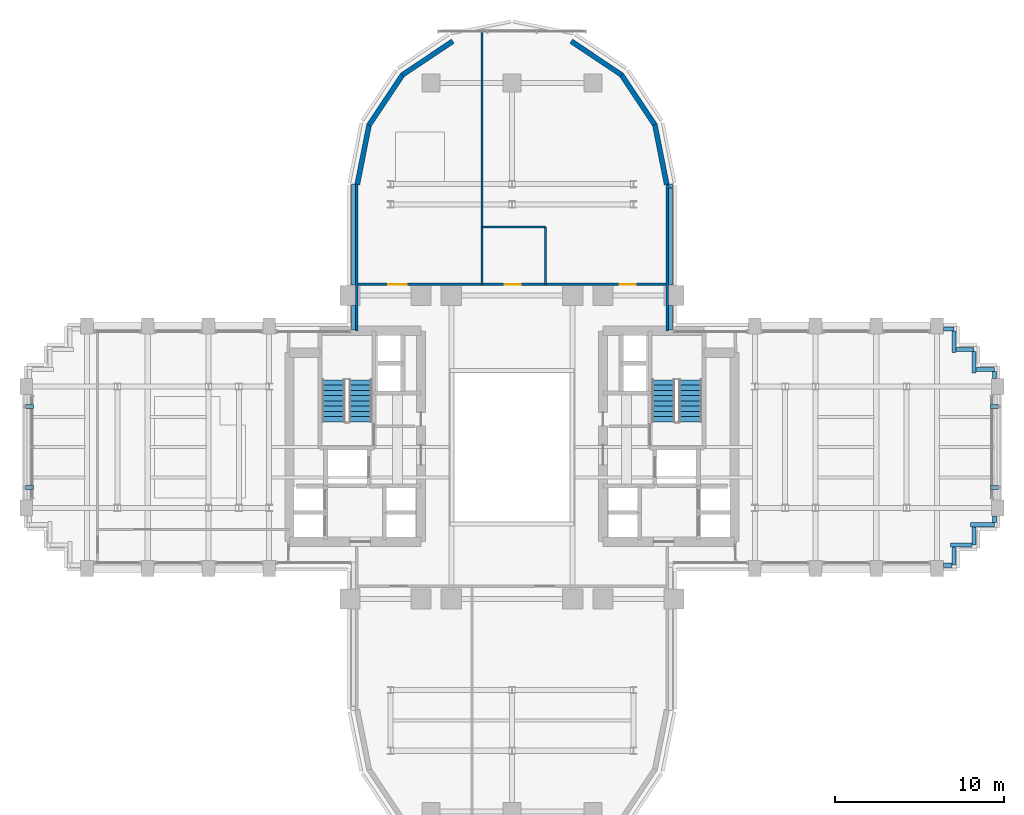
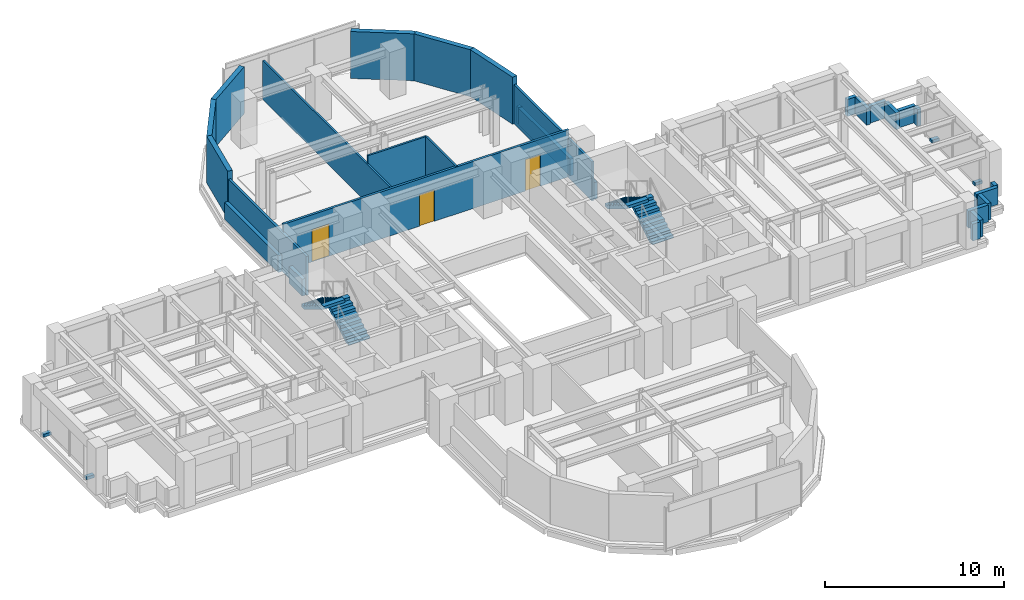
# One storey, part 12 of 16: 29 walls, 4 discrete accessories, 4 stair flights, 3 doors, 3 openings, 2 elements without a shape of their own.
"""IFC4 building model written with IfcOpenShell, lengths in metres."""

import ifcopenshell
import ifcopenshell.guid

model = None  # the IFC model being written
_history = None  # IfcOwnerHistory: only IFC2X3 demands one
_inside = {}  # id of a spatial element -> (the spatial element, [elements in it])
_under = {}  # id of a project, library or spatial element -> (it, [spatial elements below it])
_declared = {}  # id of a project -> (the project, [libraries it declares])
_typed = {}  # id of a type object -> (the type object, [elements of that type])
_made_of = {}  # id of a material, layer set ... -> (it, [elements and type objects made of it])


def new_model(schema):
    """Start an empty IFC model of exactly this schema.

    Asked for "IFC4X3", IfcOpenShell would pick the latest addendum, in which some entities
    have other attributes; the version numbers below select the first issue.
    IFC2X3 requires an IfcOwnerHistory on every rooted entity: one is made here for all.
    """
    global model, _history
    if schema == "IFC4X3":
        model = ifcopenshell.file(schema_version=(4, 3, 0, 0))
    else:
        model = ifcopenshell.file(schema=schema)
    _inside.clear()
    _under.clear()
    _declared.clear()
    _typed.clear()
    _made_of.clear()
    _history = None
    if model.schema == "IFC2X3":
        org = make("IfcOrganization", Name="unknown")
        user = make(
            "IfcPersonAndOrganization",
            ThePerson=make("IfcPerson", FamilyName="unknown"),
            TheOrganization=org,
        )
        app = make(
            "IfcApplication",
            ApplicationDeveloper=org,
            Version="unknown",
            ApplicationFullName="unknown",
            ApplicationIdentifier="unknown",
        )
        _history = make(
            "IfcOwnerHistory",
            OwningUser=user,
            OwningApplication=app,
            ChangeAction="ADDED",
            CreationDate=0,
        )
    return model


def make(cls, **values):
    """One entity of the class cls with the attributes given. An attribute that is None is left unset."""
    return model.create_entity(
        cls, **{name: value for name, value in values.items() if value is not None}
    )


def rooted(cls, **values):
    """An entity with a GlobalId (a new one), such as an element, a storey or a relation."""
    return make(cls, GlobalId=ifcopenshell.guid.new(), OwnerHistory=_history, **values)


def si_unit(unit_type, name, prefix=None):
    """IfcSIUnit, for example si_unit("LENGTHUNIT", "METRE", prefix="MILLI")."""
    return make("IfcSIUnit", UnitType=unit_type, Prefix=prefix, Name=name)


def assignment(units):
    """IfcUnitAssignment: the units of a project."""
    return None if units is None else make("IfcUnitAssignment", Units=units)


def point(xyz):
    """IfcCartesianPoint."""
    return None if xyz is None else make("IfcCartesianPoint", Coordinates=xyz)


def direction(xyz):
    """IfcDirection."""
    return None if xyz is None else make("IfcDirection", DirectionRatios=xyz)


def frame(location, z_axis=None, x_axis=None):
    """IfcAxis2Placement3D, a coordinate frame: its origin and axes. An axis left out is left unset."""
    return make(
        "IfcAxis2Placement3D",
        Location=point(location),
        Axis=direction(z_axis),
        RefDirection=direction(x_axis),
    )


def frame_2d(location, x_axis=None):
    """IfcAxis2Placement2D, a coordinate frame in the plane: its origin and x axis."""
    return make(
        "IfcAxis2Placement2D", Location=point(location), RefDirection=direction(x_axis)
    )


def origin():
    """The frame at (0, 0, 0) with its axes left unset."""
    return frame((0.0, 0.0, 0.0))


def origin_2d():
    """The frame at (0, 0) in the plane with its x axis left unset."""
    return frame_2d((0.0, 0.0))


def place(relative_to, where):
    """IfcLocalPlacement: puts the frame where relative to a parent placement (None: the world)."""
    return make(
        "IfcLocalPlacement", PlacementRelTo=relative_to, RelativePlacement=where
    )


def context(
    kind, dimensions, precision=None, world=None, true_north=None, identifier=None
):
    """IfcGeometricRepresentationContext, for example the 3D "Model" context."""
    return make(
        "IfcGeometricRepresentationContext",
        ContextIdentifier=identifier,
        ContextType=kind,
        CoordinateSpaceDimension=dimensions,
        Precision=precision,
        WorldCoordinateSystem=world,
        TrueNorth=true_north,
    )


def subcontext(parent, identifier, kind, view, scale=None):
    """IfcGeometricRepresentationSubContext, for example "Body" below "Model"."""
    return make(
        "IfcGeometricRepresentationSubContext",
        ContextIdentifier=identifier,
        ContextType=kind,
        ParentContext=parent,
        TargetScale=scale,
        TargetView=view,
    )


def project(units=None, contexts=None):
    """IfcProject with its units and contexts."""
    return rooted(
        "IfcProject",
        Name="project",
        RepresentationContexts=contexts,
        UnitsInContext=assignment(units),
    )


def spatial(cls, under=None, at=None, **own):
    """A site, building, storey or space (cls), placed at a placement, below another one or the project."""
    s = rooted(cls, ObjectPlacement=at, **own)
    if under is not None:
        _under.setdefault(under.id(), (under, []))[1].append(s)
    return s


def polyline(points):
    """IfcPolyline through the points."""
    return make("IfcPolyline", Points=[point(p) for p in points])


def profile(cls, at=None, kind="AREA", **sizes):
    """A parametric profile (cls). Its sizes go by their IFC names, for example OverallWidth=200.0."""
    return make(cls, ProfileType=kind, Position=at, **sizes)


def rectangle(**sizes):
    """IfcRectangleProfileDef."""
    return profile("IfcRectangleProfileDef", **sizes)


def outline(outer, holes=None, kind="AREA"):
    """IfcArbitraryClosedProfileDef: a profile drawn as a closed curve; with holes, ...WithVoids."""
    if holes is None:
        return make("IfcArbitraryClosedProfileDef", ProfileType=kind, OuterCurve=outer)
    return make(
        "IfcArbitraryProfileDefWithVoids",
        ProfileType=kind,
        OuterCurve=outer,
        InnerCurves=holes,
    )


def extrude(swept, where, along, depth):
    """IfcExtrudedAreaSolid: the profile swept, set in the frame where, extruded along a direction by depth."""
    return make(
        "IfcExtrudedAreaSolid",
        SweptArea=swept,
        Position=where,
        ExtrudedDirection=direction(along),
        Depth=depth,
    )


def shape(context_of_items, identifier, shape_type, items):
    """IfcShapeRepresentation: the items that make up one representation, for example the "Body"."""
    return make(
        "IfcShapeRepresentation",
        ContextOfItems=context_of_items,
        RepresentationIdentifier=identifier,
        RepresentationType=shape_type,
        Items=items,
    )


def source(mapping_origin, context_of_items, identifier, shape_type, items):
    """IfcRepresentationMap: a shape defined once, which mapped items show again and again."""
    return make(
        "IfcRepresentationMap",
        MappingOrigin=mapping_origin,
        MappedRepresentation=shape(context_of_items, identifier, shape_type, items),
    )


def transform(
    local_origin,
    x_axis=None,
    y_axis=None,
    z_axis=None,
    scale=None,
    scale2=None,
    scale3=None,
    uniform=True,
):
    """IfcCartesianTransformationOperator3D, or its non-uniform kind. x_axis, y_axis, z_axis: its Axis1, 2, 3."""
    if uniform:
        return make(
            "IfcCartesianTransformationOperator3D",
            Axis1=direction(x_axis),
            Axis2=direction(y_axis),
            LocalOrigin=point(local_origin),
            Scale=scale,
            Axis3=direction(z_axis),
        )
    return make(
        "IfcCartesianTransformationOperator3DnonUniform",
        Axis1=direction(x_axis),
        Axis2=direction(y_axis),
        LocalOrigin=point(local_origin),
        Scale=scale,
        Axis3=direction(z_axis),
        Scale2=scale2,
        Scale3=scale3,
    )


def mapped(mapping_source, mapping_target):
    """IfcMappedItem: shows the shape of a source again, moved by a transform."""
    return make(
        "IfcMappedItem", MappingSource=mapping_source, MappingTarget=mapping_target
    )


def material(Name=None, Category=None):
    """IfcMaterial."""
    return make("IfcMaterial", Name=Name, Category=Category)


def layer(
    of_material, thickness, ventilated=None, Name=None, Category=None, Priority=None
):
    """IfcMaterialLayer: one layer of a wall or slab, of a material (None: an air gap)."""
    return make(
        "IfcMaterialLayer",
        Material=of_material,
        LayerThickness=thickness,
        IsVentilated=ventilated,
        Name=Name,
        Category=Category,
        Priority=Priority,
    )


def layer_set(layers, Name=None):
    """IfcMaterialLayerSet."""
    return make("IfcMaterialLayerSet", MaterialLayers=layers, LayerSetName=Name)


def made_of(thing, what):
    """Note that an element or type object is made of a material, layer set ...; save() writes the relation."""
    if what is not None:
        _made_of.setdefault(what.id(), (what, []))[1].append(thing)
    return thing


def type_object(cls, material=None, **own):
    """A type object (cls), such as IfcWallType, which elements share."""
    return made_of(rooted(cls, **own), material)


def element(
    cls,
    number,
    at=None,
    inside=None,
    cuts=None,
    type_object=None,
    material=None,
    context=None,
    identifier="Body",
    shape_type=None,
    held_by="IfcProductDefinitionShape",
    body=None,
    shapes=None,
    **own,
):
    """One element of the class cls, such as IfcWall. Its Tag is "e" and its number.

    at: its placement. inside: the storey or other place that contains it. cuts: it is an
    opening in that element (IfcRelVoidsElement). A single representation is given by context,
    identifier, shape_type and body (its items); several are given by shapes. held_by: the class
    of the entity that holds the representations. save() writes the other relations.
    """
    e = rooted(cls, Tag="e%d" % number, ObjectPlacement=at, **own)
    if body is not None:
        shapes = [shape(context, identifier, shape_type, body)]
    if shapes is not None:
        e.Representation = make(held_by, Representations=shapes)
    if inside is not None:
        _inside.setdefault(inside.id(), (inside, []))[1].append(e)
    if cuts is not None:
        rooted(
            "IfcRelVoidsElement", RelatingBuildingElement=cuts, RelatedOpeningElement=e
        )
    if type_object is not None:
        _typed.setdefault(type_object.id(), (type_object, []))[1].append(e)
    return made_of(e, material)


def fill(opening, filler):
    """IfcRelFillsElement: the door or window that sits in an opening."""
    return rooted(
        "IfcRelFillsElement",
        RelatingOpeningElement=opening,
        RelatedBuildingElement=filler,
    )


def aggregate(whole, parts):
    """IfcRelAggregates: a whole, such as a stair, and the parts it consists of."""
    return rooted("IfcRelAggregates", RelatingObject=whole, RelatedObjects=parts)


def save(model, path):
    """Write the relations noted so far, then the file.

    IfcRelAggregates (storeys below a building ...), IfcRelContainedInSpatialStructure (elements
    in a storey), IfcRelDefinesByType, IfcRelAssociatesMaterial and IfcRelDeclares: one each for
    every whole, place, type object, material and project.
    """
    for whole, parts in _under.values():
        aggregate(whole, parts)
    for where, things in _inside.values():
        rooted(
            "IfcRelContainedInSpatialStructure",
            RelatedElements=things,
            RelatingStructure=where,
        )
    for kind, things in _typed.values():
        rooted("IfcRelDefinesByType", RelatedObjects=things, RelatingType=kind)
    for what, things in _made_of.values():
        rooted("IfcRelAssociatesMaterial", RelatedObjects=things, RelatingMaterial=what)
    for by, libraries in _declared.values():
        rooted("IfcRelDeclares", RelatingContext=by, RelatedDefinitions=libraries)
    model.write(path)


model = new_model("IFC4")

# Units and contexts
model_context = context("Model", 3, precision=1e-05, world=origin(), true_north=direction((0.0, 1.0)))
body_context = subcontext(model_context, "Body", "Model", "MODEL_VIEW")
ifc_project = project(units=[si_unit("LENGTHUNIT", "METRE"), si_unit("AREAUNIT", "SQUARE_METRE"), si_unit("VOLUMEUNIT", "CUBIC_METRE"), si_unit("PLANEANGLEUNIT", "RADIAN"), si_unit("MASSUNIT", "GRAM", prefix="KILO")], contexts=[model_context])

# Site, building, storey
site_placement = place(None, origin())
site = spatial("IfcSite", under=ifc_project, at=site_placement, CompositionType="ELEMENT")
building_placement = place(site_placement, origin())
building = spatial("IfcBuilding", under=site, at=building_placement, Name="Keilestroom Media Tower", CompositionType="ELEMENT")
storey_placement = place(building_placement, frame((0.0, 0.0, 30.60009765625)))
storey = spatial("IfcBuildingStorey", under=building, at=storey_placement, Name="L06", CompositionType="ELEMENT", Elevation=30.60009765625)

# Walls
ifc_material_1 = material(Name="Precast concrete C40/50", Category="concrete")
ifc_layer_1 = layer(ifc_material_1, 0.300048828125)
ifc_layer_set_1 = layer_set([ifc_layer_1], Name="Precast concrete C40/50")
wall_type_1 = type_object("IfcWallType", Name="Exterior-Masonry-Spandrel-Wall-300", PredefinedType="SOLIDWALL", material=ifc_layer_set_1)
for number, where, z_axis, x_axis, name in (
    (1, (9.1748046875, 15.585205078125, 0.0), (0.0, 0.0, 1.0), (-0.195114232679, 0.980780523974, 0.0), "L06 Lobe Facet Precast Frame Wall 01"),
    (2, (8.48193359375, 19.097412109375, 0.0), (0.0, 0.0, 1.0), (-0.555574187116, 0.831466970246, 0.0), "L06 Lobe Facet Precast Frame Wall 02"),
):
    element("IfcWall", number, at=place(storey_placement, frame(where, z_axis=z_axis, x_axis=x_axis)), inside=storey, type_object=wall_type_1, Name=name, PredefinedType="SOLIDWALL", context=body_context, shape_type="SweptSolid", body=[
        extrude(rectangle(XDim=3.608642578125, YDim=0.300048828125, at=frame_2d((1.80419921875, 0.0))), origin(), (0.0, 0.0, 1.0), 3.199951171875),
    ])
for number, where, z_axis, x_axis, name in (
    (3, (6.497802734375, 22.0771484375, 0.0), (0.0, 0.0, 1.0), (-0.8314749531, 0.555562239868, 0.0), "L06 Lobe Facet Precast Frame Wall 03"),
    (4, (-3.510009765625, 24.073486328125, 0.0), (0.0, 0.0, 1.0), (-0.8314749531, -0.555562239868, 0.0), "L06 Lobe Facet Precast Frame Wall 04"),
):
    element("IfcWall", number, at=place(storey_placement, frame(where, z_axis=z_axis, x_axis=x_axis)), inside=storey, type_object=wall_type_1, Name=name, PredefinedType="SOLIDWALL", context=body_context, shape_type="SweptSolid", body=[
        extrude(rectangle(XDim=3.59326171875, YDim=0.300048828125, at=frame_2d((1.796630859375, 0.0))), origin(), (0.0, 0.0, 1.0), 3.199951171875),
    ])
for number, where, z_axis, x_axis, name in (
    (5, (-6.47705078125, 22.097900390625, 0.0), (0.0, 0.0, 1.0), (-0.555574187116, -0.831466970246, 0.0), "L06 Lobe Facet Precast Frame Wall 05"),
    (6, (-8.470703125, 19.12451171875, 0.0), (0.0, 0.0, 1.0), (-0.195114232679, -0.980780523974, 0.0), "L06 Lobe Facet Precast Frame Wall 06"),
):
    element("IfcWall", number, at=place(storey_placement, frame(where, z_axis=z_axis, x_axis=x_axis)), inside=storey, type_object=wall_type_1, Name=name, PredefinedType="SOLIDWALL", context=body_context, shape_type="SweptSolid", body=[
        extrude(rectangle(XDim=3.608642578125, YDim=0.300048828125, at=frame_2d((1.80419921875, 0.0))), origin(), (0.0, 0.0, 1.0), 3.199951171875),
    ])
ifc_material_2 = material(Name="Gypsum Plasterboard & Steel Stud", Category="steel")
ifc_layer_2 = layer(ifc_material_2, 0.1201171875)
ifc_layer_set_2 = layer_set([ifc_layer_2], Name="Gypsum Plasterboard & Steel Stud")
wall_type_2 = type_object("IfcWallType", Name="Interior-Partition-Wall-120", PredefinedType="PARTITIONING", material=ifc_layer_set_2)
wall_1_placement = place(storey_placement, frame((-1.780029296875, 9.64990234375, 0.0), z_axis=(0.0, 0.0, 1.0), x_axis=(0.0, 1.0, 0.0)))
element("IfcWall", 7, at=wall_1_placement, inside=storey, type_object=wall_type_2, Name="L06 Interior Wall WP-L06-NL-V1", PredefinedType="PARTITIONING", context=body_context, shape_type="SweptSolid", body=[
    extrude(rectangle(XDim=15.0, YDim=0.1201171875, at=frame_2d((7.5, 0.0))), origin(), (0.0, 0.0, 1.0), 2.64990234375),
])
wall_2_placement = place(storey_placement, frame((-1.780029296875, 13.050048828125, 0.0), z_axis=(0.0, 0.0, 1.0), x_axis=(1.0, 0.0, 0.0)))
element("IfcWall", 8, at=wall_2_placement, inside=storey, type_object=wall_type_2, Name="L06 Interior Wall WP-L06-NL-WC-N", PredefinedType="PARTITIONING", context=body_context, shape_type="SweptSolid", body=[
    extrude(rectangle(XDim=3.780029296875, YDim=0.1201171875, at=frame_2d((1.89013671875, 0.0))), origin(), (0.0, 0.0, 1.0), 3.199951171875),
])
wall_3_placement = place(storey_placement, frame((2.0, 9.64990234375, 0.0), z_axis=(0.0, 0.0, 1.0), x_axis=(0.0, 1.0, 0.0)))
element("IfcWall", 9, at=wall_3_placement, inside=storey, type_object=wall_type_2, Name="L06 Interior Wall WP-L06-NL-WC-E", PredefinedType="PARTITIONING", context=body_context, shape_type="SweptSolid", body=[
    extrude(rectangle(XDim=3.400146484375, YDim=0.1201171875, at=frame_2d((1.7001953125, 0.0))), origin(), (0.0, 0.0, 1.0), 3.199951171875),
])

# Wall, openings, doors
ifc_layer_3 = layer(ifc_material_2, 0.14990234375)
ifc_layer_set_3 = layer_set([ifc_layer_3], Name="Gypsum Plasterboard & Steel Stud")
wall_type_3 = type_object("IfcWallType", Name="Interior-Partition-Wall-150", PredefinedType="PARTITIONING", material=ifc_layer_set_3)
wall_4_placement = place(storey_placement, frame((-9.199951171875, 9.64990234375, 0.0), z_axis=(0.0, 0.0, 1.0), x_axis=(1.0, 0.0, 0.0)))
wall_4 = element("IfcWall", 10, at=wall_4_placement, inside=storey, type_object=wall_type_3, Name="L06 Interior Wall WP-L06-NL-BASE", PredefinedType="PARTITIONING", context=body_context, shape_type="SweptSolid", body=[
    extrude(rectangle(XDim=18.39990234375, YDim=0.14990234375, at=frame_2d((9.199951171875, 0.0))), origin(), (0.0, 0.0, 1.0), 3.199951171875),
])
opening_1_placement = place(wall_4_placement, frame((8.77001953125, 0.0, 0.0)))
opening_1 = element("IfcOpeningElement", 11, at=opening_1_placement, cuts=wall_4, Name="Opening DI-03", PredefinedType="OPENING", context=body_context, shape_type="SweptSolid", body=[
    extrude(rectangle(XDim=0.949951171875, YDim=2.14990234375, at=frame_2d((0.47509765625, 1.074951171875))), frame((0.0, 0.0849609375, 0.0), z_axis=(0.0, -1.0, 0.0), x_axis=(1.0, 0.0, 0.0)), (0.0, 0.0, 1.0), 0.169921875),
])
opening_2_placement = place(wall_4_placement, frame((1.85009765625, 0.0, 0.0)))
opening_2 = element("IfcOpeningElement", 12, at=opening_2_placement, cuts=wall_4, Name="Opening DI-04", PredefinedType="OPENING", context=body_context, shape_type="SweptSolid", body=[
    extrude(rectangle(XDim=1.10009765625, YDim=2.199951171875, at=frame_2d((0.550048828125, 1.10009765625))), frame((0.0, 0.0849609375, 0.0), z_axis=(0.0, -1.0, 0.0), x_axis=(1.0, 0.0, 0.0)), (0.0, 0.0, 1.0), 0.169921875),
])
opening_3_placement = place(wall_4_placement, frame((15.60009765625, 0.0, 0.0)))
opening_3 = element("IfcOpeningElement", 13, at=opening_3_placement, cuts=wall_4, Name="Opening DI-03", PredefinedType="OPENING", context=body_context, shape_type="SweptSolid", body=[
    extrude(rectangle(XDim=0.949951171875, YDim=2.14990234375, at=frame_2d((0.47509765625, 1.074951171875))), frame((0.0, 0.0849609375, 0.0), z_axis=(0.0, -1.0, 0.0), x_axis=(1.0, 0.0, 0.0)), (0.0, 0.0, 1.0), 0.169921875),
])
ifc_material_3 = material(Name="Lacquered European Oak Leaf", Category="wood")
door_type_1 = type_object("IfcDoorType", Name="Interior-Room-And-Suite-Door-DI-03", OperationType="NOTDEFINED", PredefinedType="DOOR", material=ifc_material_3)
shared_shape_1 = source(origin(), body_context, "Body", "SweptSolid", [
    extrude(rectangle(XDim=0.949951171875, YDim=2.14990234375, at=frame_2d((0.47509765625, 1.074951171875))), frame((0.0, 0.02490234375, 0.0), z_axis=(0.0, -1.0, 0.0), x_axis=(1.0, 0.0, 0.0)), (0.0, 0.0, 1.0), 0.050048828125),
])
door_1_placement = place(opening_1_placement, origin())
door_1 = element("IfcDoor", 14, at=door_1_placement, inside=storey, type_object=door_type_1, Name="L06 Interior Door DI-L06-DNL-WC", OperationType="SINGLE_SWING_RIGHT", OverallHeight=2.14990234375, OverallWidth=0.949951171875, PredefinedType="DOOR", context=body_context, shape_type="MappedRepresentation", body=[
    mapped(shared_shape_1, transform((0.0, 0.0, 0.0), x_axis=(1.0, 0.0, 0.0), y_axis=(0.0, 1.0, 0.0), z_axis=(0.0, 0.0, 1.0), scale=1.0)),
])
fill(opening_1, door_1)
door_2_placement = place(opening_3_placement, origin())
door_2 = element("IfcDoor", 15, at=door_2_placement, inside=storey, type_object=door_type_1, Name="L06 Interior Door DI-L06-DNL-B", OperationType="SINGLE_SWING_RIGHT", OverallHeight=2.14990234375, OverallWidth=0.949951171875, PredefinedType="DOOR", context=body_context, shape_type="MappedRepresentation", body=[
    mapped(shared_shape_1, transform((0.0, 0.0, 0.0), x_axis=(1.0, 0.0, 0.0), y_axis=(0.0, 1.0, 0.0), z_axis=(0.0, 0.0, 1.0), scale=1.0)),
])
fill(opening_3, door_2)
ifc_material_4 = material(Name="Acoustic Glazed Aluminium Leaf", Category="aluminium")
door_type_2 = type_object("IfcDoorType", Name="Interior-Room-And-Suite-Door-DI-04", OperationType="NOTDEFINED", PredefinedType="DOOR", material=ifc_material_4)
shared_shape_2 = source(origin(), body_context, "Body", "SweptSolid", [
    extrude(rectangle(XDim=1.10009765625, YDim=2.199951171875, at=frame_2d((0.550048828125, 1.10009765625))), frame((0.0, 0.02490234375, 0.0), z_axis=(0.0, -1.0, 0.0), x_axis=(1.0, 0.0, 0.0)), (0.0, 0.0, 1.0), 0.050048828125),
])
door_3_placement = place(opening_2_placement, origin())
door_3 = element("IfcDoor", 16, at=door_3_placement, inside=storey, type_object=door_type_2, Name="L06 Interior Door DI-L06-DNL-A", OperationType="SINGLE_SWING_LEFT", OverallHeight=2.199951171875, OverallWidth=1.10009765625, PredefinedType="DOOR", context=body_context, shape_type="MappedRepresentation", body=[
    mapped(shared_shape_2, transform((0.0, 0.0, 0.0), x_axis=(1.0, 0.0, 0.0), y_axis=(0.0, 1.0, 0.0), z_axis=(0.0, 0.0, 1.0), scale=1.0)),
])
fill(opening_2, door_3)

# Walls
for number, where, z_axis, x_axis, name in (
    (17, (-9.199951171875, 6.89990234375, 0.0), (0.0, 0.0, 1.0), (0.0, 1.0, 0.0), "L06 Interior Wall WP-L06-NL-CHKW"),
    (18, (9.199951171875, 6.89990234375, 0.0), (0.0, 0.0, 1.0), (0.0, 1.0, 0.0), "L06 Interior Wall WP-L06-NL-CHKE"),
):
    element("IfcWall", number, at=place(storey_placement, frame(where, z_axis=z_axis, x_axis=x_axis)), inside=storey, type_object=wall_type_3, Name=name, PredefinedType="PARTITIONING", context=body_context, shape_type="SweptSolid", body=[
        extrude(rectangle(XDim=8.780029296875, YDim=0.14990234375, at=frame_2d((4.39013671875, 0.0))), origin(), (0.0, 0.0, 1.0), 2.64990234375),
    ])
ifc_layer_4 = layer(ifc_material_1, 0.239990234375)
ifc_layer_set_4 = layer_set([ifc_layer_4], Name="Precast concrete C40/50")
wall_type_4 = type_object("IfcWallType", Name="Roof-And-Terrace-Parapet-Wall-240", PredefinedType="PARAPET", material=ifc_layer_set_4)
wall_5_placement = place(storey_placement, frame((28.60009765625, -4.60009765625, 0.0), z_axis=(0.0, 0.0, 1.0), x_axis=(-1.0, 0.0, 0.0)))
element("IfcWall", 19, at=wall_5_placement, inside=storey, type_object=wall_type_4, Name="L06 Perimeter Edge Parapet Wall 01", PredefinedType="PARAPET", context=body_context, shape_type="SweptSolid", body=[
    extrude(rectangle(XDim=1.400146484375, YDim=0.239990234375, at=frame_2d((0.7001953125, 0.0))), origin(), (0.0, 0.0, 1.0), 1.14990234375),
])
wall_6_placement = place(storey_placement, frame((27.39990234375, -4.722900390625, 0.0), z_axis=(0.0, 0.0, 1.0), x_axis=(0.0, -1.0, 0.0)))
element("IfcWall", 20, at=wall_6_placement, inside=storey, type_object=wall_type_4, Name="L06 Perimeter Edge Parapet Wall 02", PredefinedType="PARAPET", context=body_context, shape_type="SweptSolid", body=[
    extrude(rectangle(XDim=1.0771484375, YDim=0.239990234375, at=frame_2d((0.53857421875, 0.0))), origin(), (0.0, 0.0, 1.0), 1.14990234375),
])
wall_7_placement = place(storey_placement, frame((27.277099609375, -5.800048828125, 0.0), z_axis=(0.0, 0.0, 1.0), x_axis=(-1.0, 0.0, 0.0)))
element("IfcWall", 21, at=wall_7_placement, inside=storey, type_object=wall_type_4, Name="L06 Perimeter Edge Parapet Wall 03", PredefinedType="PARAPET", context=body_context, shape_type="SweptSolid", body=[
    extrude(rectangle(XDim=1.277099609375, YDim=0.239990234375, at=frame_2d((0.638671875, 0.0))), origin(), (0.0, 0.0, 1.0), 1.14990234375),
])
wall_8_placement = place(storey_placement, frame((26.199951171875, -5.923095703125, 0.0), z_axis=(0.0, 0.0, 1.0), x_axis=(0.0, -1.0, 0.0)))
element("IfcWall", 22, at=wall_8_placement, inside=storey, type_object=wall_type_4, Name="L06 Perimeter Edge Parapet Wall 04", PredefinedType="PARAPET", context=body_context, shape_type="SweptSolid", body=[
    extrude(rectangle(XDim=1.076904296875, YDim=0.239990234375, at=frame_2d((0.53857421875, 0.0))), origin(), (0.0, 0.0, 1.0), 1.14990234375),
])
wall_9_placement = place(storey_placement, frame((26.076904296875, -7.0, 0.0), z_axis=(0.0, 0.0, 1.0), x_axis=(-1.0, 0.0, 0.0)))
element("IfcWall", 23, at=wall_9_placement, inside=storey, type_object=wall_type_4, Name="L06 Perimeter Edge Parapet Wall 05", PredefinedType="PARAPET", context=body_context, shape_type="SweptSolid", body=[
    extrude(rectangle(XDim=0.4990234375, YDim=0.239990234375, at=frame_2d((0.24951171875, 0.0))), origin(), (0.0, 0.0, 1.0), 1.14990234375),
])
wall_10_placement = place(storey_placement, frame((-9.39990234375, 6.952880859375, 0.0), z_axis=(0.0, 0.0, 1.0), x_axis=(0.0, 1.0, 0.0)))
element("IfcWall", 24, at=wall_10_placement, inside=storey, type_object=wall_type_4, Name="L06 Perimeter Edge Parapet Wall 24", PredefinedType="PARAPET", context=body_context, shape_type="SweptSolid", body=[
    extrude(rectangle(XDim=1.444091796875, YDim=0.239990234375, at=frame_2d((0.72216796875, 0.0))), origin(), (0.0, 0.0, 1.0), 1.14990234375),
])
wall_11_placement = place(storey_placement, frame((-9.39990234375, 9.60302734375, 0.0), z_axis=(0.0, 0.0, 1.0), x_axis=(0.0, 1.0, 0.0)))
element("IfcWall", 25, at=wall_11_placement, inside=storey, type_object=wall_type_4, Name="L06 Perimeter Edge Parapet Wall 25", PredefinedType="PARAPET", context=body_context, shape_type="SweptSolid", body=[
    extrude(rectangle(XDim=5.999755859375, YDim=0.239990234375, at=frame_2d((3.0, 0.0))), origin(), (0.0, 0.0, 1.0), 1.14990234375),
])
wall_12_placement = place(storey_placement, frame((9.395263671875, 15.604248046875, 0.0), z_axis=(0.0, 0.0, 1.0), x_axis=(0.194652052864, -0.980872355771, 0.0)))
element("IfcWall", 26, at=wall_12_placement, inside=storey, type_object=wall_type_4, Name="L06 Perimeter Edge Parapet Wall 26", PredefinedType="PARAPET", context=body_context, shape_type="SweptSolid", body=[
    extrude(rectangle(XDim=0.224609375, YDim=0.239990234375, at=frame_2d((0.1123046875, 0.0))), origin(), (0.0, 0.0, 1.0), 1.14990234375),
])
wall_13_placement = place(storey_placement, frame((9.39990234375, 15.357666015625, 0.0), z_axis=(0.0, 0.0, 1.0), x_axis=(0.0, -1.0, 0.0)))
element("IfcWall", 27, at=wall_13_placement, inside=storey, type_object=wall_type_4, Name="L06 Perimeter Edge Parapet Wall 27", PredefinedType="PARAPET", context=body_context, shape_type="SweptSolid", body=[
    extrude(rectangle(XDim=5.754638671875, YDim=0.239990234375, at=frame_2d((2.87744140625, 0.0))), origin(), (0.0, 0.0, 1.0), 1.14990234375),
])
wall_14_placement = place(storey_placement, frame((9.39990234375, 8.39697265625, 0.0), z_axis=(0.0, 0.0, 1.0), x_axis=(0.0, -1.0, 0.0)))
element("IfcWall", 28, at=wall_14_placement, inside=storey, type_object=wall_type_4, Name="L06 Perimeter Edge Parapet Wall 28", PredefinedType="PARAPET", context=body_context, shape_type="SweptSolid", body=[
    extrude(rectangle(XDim=1.444091796875, YDim=0.239990234375, at=frame_2d((0.72216796875, 0.0))), origin(), (0.0, 0.0, 1.0), 1.14990234375),
])
wall_15_placement = place(storey_placement, frame((25.577880859375, 7.0, 0.0), z_axis=(0.0, 0.0, 1.0), x_axis=(1.0, 0.0, 0.0)))
element("IfcWall", 29, at=wall_15_placement, inside=storey, type_object=wall_type_4, Name="L06 Perimeter Edge Parapet Wall 29", PredefinedType="PARAPET", context=body_context, shape_type="SweptSolid", body=[
    extrude(rectangle(XDim=0.6220703125, YDim=0.239990234375, at=frame_2d((0.31103515625, 0.0))), origin(), (0.0, 0.0, 1.0), 1.14990234375),
])
wall_16_placement = place(storey_placement, frame((26.199951171875, 6.876953125, 0.0), z_axis=(0.0, 0.0, 1.0), x_axis=(0.0, -1.0, 0.0)))
element("IfcWall", 30, at=wall_16_placement, inside=storey, type_object=wall_type_4, Name="L06 Perimeter Edge Parapet Wall 30", PredefinedType="PARAPET", context=body_context, shape_type="SweptSolid", body=[
    extrude(rectangle(XDim=1.27685546875, YDim=0.239990234375, at=frame_2d((0.638427734375, 0.0))), origin(), (0.0, 0.0, 1.0), 1.14990234375),
])
wall_17_placement = place(storey_placement, frame((26.322998046875, 5.800048828125, 0.0), z_axis=(0.0, 0.0, 1.0), x_axis=(1.0, 0.0, 0.0)))
element("IfcWall", 31, at=wall_17_placement, inside=storey, type_object=wall_type_4, Name="L06 Perimeter Edge Parapet Wall 31", PredefinedType="PARAPET", context=body_context, shape_type="SweptSolid", body=[
    extrude(rectangle(XDim=1.076904296875, YDim=0.239990234375, at=frame_2d((0.53857421875, 0.0))), origin(), (0.0, 0.0, 1.0), 1.14990234375),
])
wall_18_placement = place(storey_placement, frame((27.39990234375, 5.677001953125, 0.0), z_axis=(0.0, 0.0, 1.0), x_axis=(0.0, -1.0, 0.0)))
element("IfcWall", 32, at=wall_18_placement, inside=storey, type_object=wall_type_4, Name="L06 Perimeter Edge Parapet Wall 32", PredefinedType="PARAPET", context=body_context, shape_type="SweptSolid", body=[
    extrude(rectangle(XDim=1.277099609375, YDim=0.239990234375, at=frame_2d((0.638671875, 0.0))), origin(), (0.0, 0.0, 1.0), 1.14990234375),
])
wall_19_placement = place(storey_placement, frame((27.52294921875, 4.60009765625, 0.0), z_axis=(0.0, 0.0, 1.0), x_axis=(1.0, 0.0, 0.0)))
element("IfcWall", 33, at=wall_19_placement, inside=storey, type_object=wall_type_4, Name="L06 Perimeter Edge Parapet Wall 33", PredefinedType="PARAPET", context=body_context, shape_type="SweptSolid", body=[
    extrude(rectangle(XDim=1.0771484375, YDim=0.239990234375, at=frame_2d((0.53857421875, 0.0))), origin(), (0.0, 0.0, 1.0), 1.14990234375),
])
for number, where, z_axis, x_axis, name in (
    (34, (28.60009765625, 4.47705078125, 0.0), (0.0, 0.0, 1.0), (0.0, -1.0, 0.0), "L06 Perimeter Edge Parapet Wall 34"),
    (35, (28.60009765625, -4.077880859375, 0.0), (0.0, 0.0, 1.0), (0.0, -1.0, 0.0), "L06 Perimeter Edge Parapet Wall 35"),
):
    element("IfcWall", number, at=place(storey_placement, frame(where, z_axis=z_axis, x_axis=x_axis)), inside=storey, type_object=wall_type_4, Name=name, PredefinedType="PARAPET", context=body_context, shape_type="SweptSolid", body=[
        extrude(rectangle(XDim=0.399169921875, YDim=0.239990234375, at=frame_2d((0.19970703125, 0.0))), origin(), (0.0, 0.0, 1.0), 1.14990234375),
    ])

# Stair, stair flights
ifc_material_5 = material(Name="Concrete C45/55", Category="concrete")
stair_type = type_object("IfcStairType", Name="Enclosed-Dog-Leg-Stair-ST-CORE", PredefinedType="HALF_TURN_STAIR", material=ifc_material_5)
stair_1_placement = place(storey_placement, origin())
stair_1 = element("IfcStair", 36, at=stair_1_placement, inside=storey, type_object=stair_type, Name="L06 West Core Escape Stair ST-1", PredefinedType="HALF_TURN_STAIR")
stair_flight_type = type_object("IfcStairFlightType", Name="Precast-Concrete-Stair-Flight-Core-160", PredefinedType="STRAIGHT", material=ifc_material_1)
stair_flight_1_placement = place(storey_placement, frame((-8.97998046875, 1.5, 0.0), z_axis=(0.0, 0.0, 1.0), x_axis=(0.0, 1.0, 0.0)))
stair_flight_1 = element("IfcStairFlight", 37, at=stair_flight_1_placement, type_object=stair_flight_type, Name="ST-1 flight 1", NumberOfRisers=9, NumberOfTreads=8, PredefinedType="STRAIGHT", RiserHeight=0.188888889, TreadLength=0.312, context=body_context, shape_type="SweptSolid", body=[
    extrude(outline(polyline([(0.0, 0.0), (0.0, 0.18896484375), (0.31201171875, 0.18896484375), (0.31201171875, 0.377685546875), (0.6240234375, 0.377685546875), (0.6240234375, 0.566650390625), (0.93603515625, 0.566650390625), (0.93603515625, 0.755615234375), (1.248046875, 0.755615234375), (1.248046875, 0.9443359375), (1.56005859375, 0.9443359375), (1.56005859375, 1.13330078125), (1.8720703125, 1.13330078125), (1.8720703125, 1.322265625), (2.18408203125, 1.322265625), (2.18408203125, 1.51123046875), (2.49609375, 1.51123046875), (2.49609375, 1.699951171875), (2.49609375, 1.32421875), (0.308837890625, 0.0), (0.0, 0.0)])), frame((0.0, 0.68017578125, 0.0), z_axis=(0.0, -1.0, 0.0), x_axis=(1.0, 0.0, 0.0)), (0.0, 0.0, 1.0), 1.360107421875),
])
stair_flight_2_placement = place(storey_placement, frame((-10.580078125, 3.99609375, 1.699951171875), z_axis=(0.0, 0.0, 1.0), x_axis=(0.0, -1.0, 0.0)))
stair_flight_2 = element("IfcStairFlight", 38, at=stair_flight_2_placement, type_object=stair_flight_type, Name="ST-1 flight 2", NumberOfRisers=9, NumberOfTreads=8, PredefinedType="STRAIGHT", RiserHeight=0.188888889, TreadLength=0.312, context=body_context, shape_type="SweptSolid", body=[
    extrude(outline(polyline([(0.0, 0.0), (0.0, 0.18896484375), (0.31201171875, 0.18896484375), (0.31201171875, 0.377685546875), (0.6240234375, 0.377685546875), (0.6240234375, 0.566650390625), (0.93603515625, 0.566650390625), (0.93603515625, 0.755615234375), (1.248046875, 0.755615234375), (1.248046875, 0.9443359375), (1.56005859375, 0.9443359375), (1.56005859375, 1.13330078125), (1.8720703125, 1.13330078125), (1.8720703125, 1.322265625), (2.18408203125, 1.322265625), (2.18408203125, 1.51123046875), (2.49609375, 1.51123046875), (2.49609375, 1.699951171875), (2.49609375, 1.32421875), (0.308837890625, 0.0), (0.0, 0.0)])), frame((0.0, 0.68017578125, 0.0), z_axis=(0.0, -1.0, 0.0), x_axis=(1.0, 0.0, 0.0)), (0.0, 0.0, 1.0), 1.360107421875),
])
aggregate(stair_1, [stair_flight_1, stair_flight_2])

stair_2_placement = place(storey_placement, origin())
stair_2 = element("IfcStair", 39, at=stair_2_placement, inside=storey, type_object=stair_type, Name="L06 East Core Escape Stair ST-2", PredefinedType="HALF_TURN_STAIR")
stair_flight_3_placement = place(storey_placement, frame((10.580078125, 1.5, 0.0), z_axis=(0.0, 0.0, 1.0), x_axis=(0.0, 1.0, 0.0)))
stair_flight_3 = element("IfcStairFlight", 40, at=stair_flight_3_placement, type_object=stair_flight_type, Name="ST-2 flight 1", NumberOfRisers=9, NumberOfTreads=8, PredefinedType="STRAIGHT", RiserHeight=0.188888889, TreadLength=0.312, context=body_context, shape_type="SweptSolid", body=[
    extrude(outline(polyline([(0.0, 0.0), (0.0, 0.18896484375), (0.31201171875, 0.18896484375), (0.31201171875, 0.377685546875), (0.6240234375, 0.377685546875), (0.6240234375, 0.566650390625), (0.93603515625, 0.566650390625), (0.93603515625, 0.755615234375), (1.248046875, 0.755615234375), (1.248046875, 0.9443359375), (1.56005859375, 0.9443359375), (1.56005859375, 1.13330078125), (1.8720703125, 1.13330078125), (1.8720703125, 1.322265625), (2.18408203125, 1.322265625), (2.18408203125, 1.51123046875), (2.49609375, 1.51123046875), (2.49609375, 1.699951171875), (2.49609375, 1.32421875), (0.308837890625, 0.0), (0.0, 0.0)])), frame((0.0, 0.68017578125, 0.0), z_axis=(0.0, -1.0, 0.0), x_axis=(1.0, 0.0, 0.0)), (0.0, 0.0, 1.0), 1.360107421875),
])
stair_flight_4_placement = place(storey_placement, frame((8.97998046875, 3.99609375, 1.699951171875), z_axis=(0.0, 0.0, 1.0), x_axis=(0.0, -1.0, 0.0)))
stair_flight_4 = element("IfcStairFlight", 41, at=stair_flight_4_placement, type_object=stair_flight_type, Name="ST-2 flight 2", NumberOfRisers=9, NumberOfTreads=8, PredefinedType="STRAIGHT", RiserHeight=0.188888889, TreadLength=0.312, context=body_context, shape_type="SweptSolid", body=[
    extrude(outline(polyline([(0.0, 0.0), (0.0, 0.18896484375), (0.31201171875, 0.18896484375), (0.31201171875, 0.377685546875), (0.6240234375, 0.377685546875), (0.6240234375, 0.566650390625), (0.93603515625, 0.566650390625), (0.93603515625, 0.755615234375), (1.248046875, 0.755615234375), (1.248046875, 0.9443359375), (1.56005859375, 0.9443359375), (1.56005859375, 1.13330078125), (1.8720703125, 1.13330078125), (1.8720703125, 1.322265625), (2.18408203125, 1.322265625), (2.18408203125, 1.51123046875), (2.49609375, 1.51123046875), (2.49609375, 1.699951171875), (2.49609375, 1.32421875), (0.308837890625, 0.0), (0.0, 0.0)])), frame((0.0, 0.68017578125, 0.0), z_axis=(0.0, -1.0, 0.0), x_axis=(1.0, 0.0, 0.0)), (0.0, 0.0, 1.0), 1.360107421875),
])
aggregate(stair_2, [stair_flight_3, stair_flight_4])

# Discrete accessories
ifc_material_6 = material(Name="Stainless Steel 1.4401", Category="steel")
discrete_accessory_type = type_object("IfcDiscreteAccessoryType", Name="Facade-Fin-Fixing-Bracket-BRK-1", PredefinedType="BRACKET", material=ifc_material_6)
shared_shape_3 = source(origin(), body_context, "Body", "SweptSolid", [
    extrude(rectangle(XDim=0.47998046875, YDim=0.239990234375, at=origin_2d()), origin(), (0.0, 0.0, 1.0), 0.199951171875),
])
for number, where, z_axis, x_axis, name in (
    (42, (-28.610107421875, -2.39990234375, -0.01025390625), (0.0, 0.0, 1.0), (1.0, 0.0, 0.0), "L06 Sunshade Fin Bracket BRK-1 001"),
    (43, (-28.610107421875, 2.39990234375, -0.01025390625), (0.0, 0.0, 1.0), (1.0, 0.0, 0.0), "L06 Sunshade Fin Bracket BRK-1 002"),
    (44, (28.610107421875, -2.39990234375, -0.01025390625), (0.0, 0.0, 1.0), (1.0, 0.0, 0.0), "L06 Sunshade Fin Bracket BRK-1 003"),
    (45, (28.610107421875, 2.39990234375, -0.01025390625), (0.0, 0.0, 1.0), (1.0, 0.0, 0.0), "L06 Sunshade Fin Bracket BRK-1 004"),
):
    element("IfcDiscreteAccessory", number, at=place(storey_placement, frame(where, z_axis=z_axis, x_axis=x_axis)), inside=storey, type_object=discrete_accessory_type, Name=name, PredefinedType="BRACKET", context=body_context, shape_type="MappedRepresentation", body=[
        mapped(shared_shape_3, transform((0.0, 0.0, 0.0), x_axis=(1.0, 0.0, 0.0), y_axis=(0.0, 1.0, 0.0), z_axis=(0.0, 0.0, 1.0), scale=1.0)),
    ])

save(model, "model.ifc")
